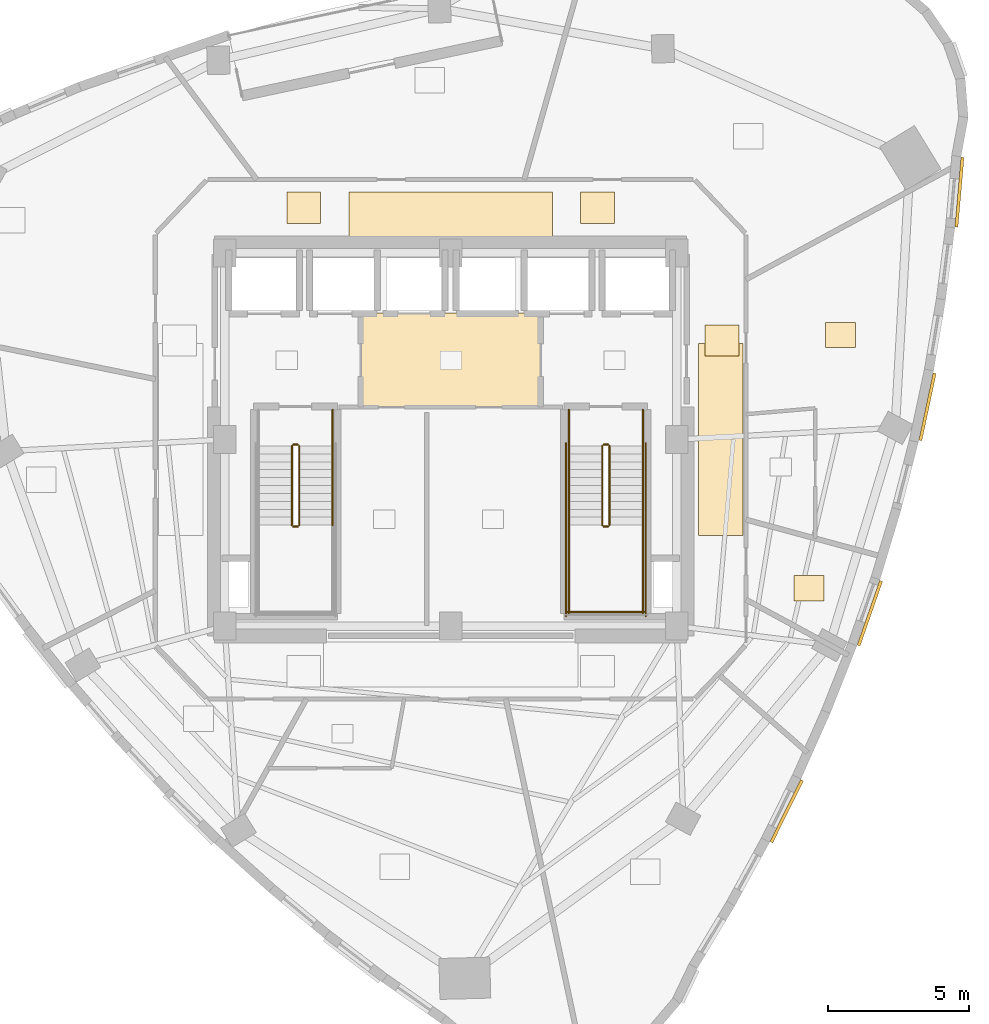
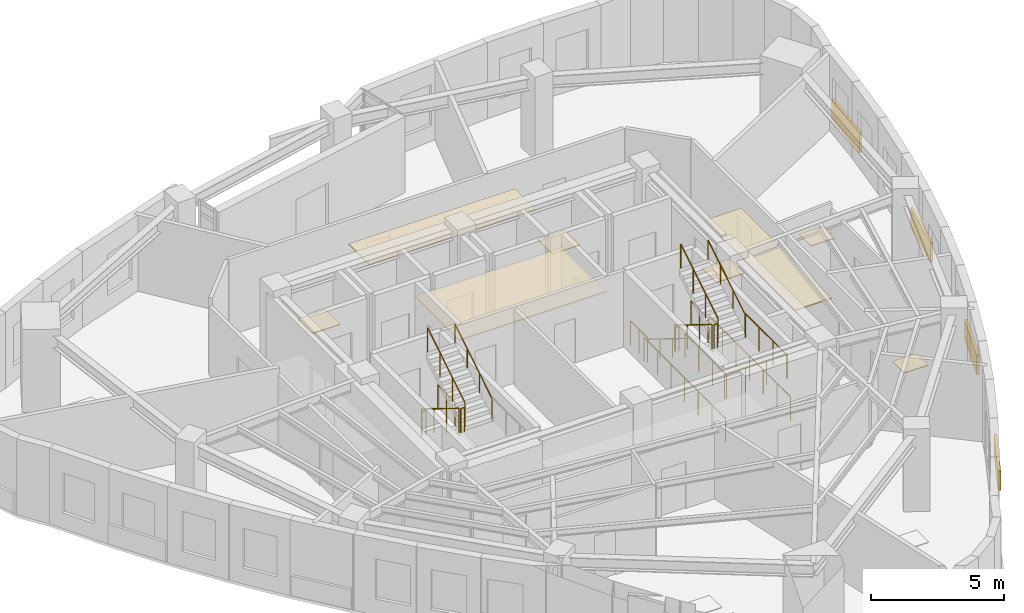
# One storey, part 9 of 10: 19 railings, 12 coverings.
"""IFC4 building model written with IfcOpenShell, lengths in metres."""

from ifc_helpers import new_model, si_unit, direction, frame, origin, origin_2d, place, context, subcontext, project, spatial, rectangle, circle, extrude, material, layer, layer_set, type_object, element, save


model = new_model("IFC4")

# Units and contexts
model_context = context("Model", 3, precision=1e-05, world=origin(), true_north=direction((0.0, 1.0)))
body_context = subcontext(model_context, "Body", "Model", "MODEL_VIEW")
ifc_project = project(units=[si_unit("LENGTHUNIT", "METRE"), si_unit("AREAUNIT", "SQUARE_METRE"), si_unit("VOLUMEUNIT", "CUBIC_METRE"), si_unit("PLANEANGLEUNIT", "RADIAN"), si_unit("MASSUNIT", "GRAM", prefix="KILO")], contexts=[model_context])

# Site, building, storey
site_placement = place(None, origin())
site = spatial("IfcSite", under=ifc_project, at=site_placement, CompositionType="ELEMENT")
building_placement = place(site_placement, origin())
building = spatial("IfcBuilding", under=site, at=building_placement, Name="Ndelora Gate Hotel", CompositionType="ELEMENT")
storey_placement = place(building_placement, frame((0.0, 0.0, 251.14990234375)))
storey = spatial("IfcBuildingStorey", under=building, at=storey_placement, Name="L63", CompositionType="ELEMENT", Elevation=251.14990234375)

# Coverings
ifc_material_1 = material(Name="Perforated Acoustic Gypsum Board", Category="gypsum")
ifc_layer_1 = layer(ifc_material_1, 0.054931640625)
ifc_layer_set_1 = layer_set([ifc_layer_1], Name="Perforated Acoustic Gypsum Board")
covering_type_1 = type_object("IfcCoveringType", Name="COV-CEIL-AC60", PredefinedType="CEILING", material=ifc_layer_set_1)
covering_1_placement = place(storey_placement, frame((0.0, 2.800048828125, 2.72265625), z_axis=(0.0, 0.0, 1.0), x_axis=(1.0, 0.0, 0.0)))
element("IfcCovering", 1, at=covering_1_placement, inside=storey, type_object=covering_type_1, Name="L63 Lift Lobby Acoustic Ceiling", PredefinedType="CEILING", context=body_context, shape_type="SweptSolid", body=[
    extrude(rectangle(XDim=6.39990234375, YDim=3.340087890625, at=origin_2d()), origin(), (0.0, 0.0, 1.0), 0.054931640625),
])
covering_2_placement = place(storey_placement, frame((0.0, 7.9599609375, 2.65283203125), z_axis=(0.0, 0.0, 1.0), x_axis=(1.0, 0.0, 0.0)))
element("IfcCovering", 2, at=covering_2_placement, inside=storey, type_object=covering_type_1, Name="L63 Guest Corridor Acoustic Ceiling N", PredefinedType="CEILING", context=body_context, shape_type="SweptSolid", body=[
    extrude(rectangle(XDim=7.199951171875, YDim=1.580078125, at=origin_2d()), origin(), (0.0, 0.0, 1.0), 0.054931640625),
])
covering_3_placement = place(storey_placement, frame((9.550048828125, 0.0, 2.65283203125), z_axis=(0.0, 0.0, 1.0), x_axis=(1.0, 0.0, 0.0)))
element("IfcCovering", 3, at=covering_3_placement, inside=storey, type_object=covering_type_1, Name="L63 Guest Corridor Acoustic Ceiling E", PredefinedType="CEILING", context=body_context, shape_type="SweptSolid", body=[
    extrude(rectangle(XDim=1.580078125, YDim=6.800048828125, at=origin_2d()), origin(), (0.0, 0.0, 1.0), 0.054931640625),
])
ifc_material_2 = material(Name="Terracotta Fired Clay Brick Slip Cladding", Category="masonry")
ifc_layer_2 = layer(ifc_material_2, 0.110107421875)
ifc_layer_set_2 = layer_set([ifc_layer_2], Name="Terracotta Fired Clay Brick Slip Cladding")
covering_type_2 = type_object("IfcCoveringType", Name="COV-CLAD-BRK", PredefinedType="CLADDING", material=ifc_layer_set_2)
covering_4_placement = place(storey_placement, frame((11.8876953125, -13.153564453125, 0.10009765625), z_axis=(0.0, 0.0, 1.0), x_axis=(0.444009746106, 0.896021955849, 0.0)))
element("IfcCovering", 4, at=covering_4_placement, inside=storey, type_object=covering_type_2, Name="L63 Rounded-Corner Brick Cladding Band 31", PredefinedType="CLADDING", context=body_context, shape_type="SweptSolid", body=[
    extrude(rectangle(XDim=2.44189453125, YDim=0.110107421875, at=origin_2d()), origin(), (0.0, 0.0, 1.0), 0.89990234375),
])
covering_5_placement = place(storey_placement, frame((14.832763671875, -6.146728515625, 0.10009765625), z_axis=(0.0, 0.0, 1.0), x_axis=(0.328866646739, 0.944376370237, 0.0)))
element("IfcCovering", 5, at=covering_5_placement, inside=storey, type_object=covering_type_2, Name="L63 Rounded-Corner Brick Cladding Band 34", PredefinedType="CLADDING", context=body_context, shape_type="SweptSolid", body=[
    extrude(rectangle(XDim=2.416015625, YDim=0.110107421875, at=origin_2d()), origin(), (0.0, 0.0, 1.0), 0.89990234375),
])
covering_6_placement = place(storey_placement, frame((16.87109375, 1.15478515625, 0.10009765625), z_axis=(0.0, 0.0, 1.0), x_axis=(0.208082406612, 0.9781112984, 0.0)))
element("IfcCovering", 6, at=covering_6_placement, inside=storey, type_object=covering_type_2, Name="L63 Rounded-Corner Brick Cladding Band 37", PredefinedType="CLADDING", context=body_context, shape_type="SweptSolid", body=[
    extrude(rectangle(XDim=2.428955078125, YDim=0.110107421875, at=origin_2d()), origin(), (0.0, 0.0, 1.0), 0.89990234375),
])
covering_7_placement = place(storey_placement, frame((18.002197265625, 8.75, 0.10009765625), z_axis=(0.0, 0.0, 1.0), x_axis=(0.087155742748, 0.996194698092, 0.0)))
element("IfcCovering", 7, at=covering_7_placement, inside=storey, type_object=covering_type_2, Name="L63 Rounded-Corner Brick Cladding Band 40", PredefinedType="CLADDING", context=body_context, shape_type="SweptSolid", body=[
    extrude(rectangle(XDim=2.48193359375, YDim=0.110107421875, at=origin_2d()), origin(), (0.0, 0.0, 1.0), 0.89990234375),
])
ifc_material_3 = material(Name="Engineered Highland Oak Parquet", Category="wood")
ifc_layer_3 = layer(ifc_material_3, 0.030029296875)
ifc_layer_set_3 = layer_set([ifc_layer_3], Name="Engineered Highland Oak Parquet")
covering_type_3 = type_object("IfcCoveringType", Name="COV-FLR-PARQ", PredefinedType="FLOORING", material=ifc_layer_set_3)
for number, where, z_axis, x_axis, name in (
    (8, (13.7919921875, 3.697265625, 0.0), (0.0, 0.0, 1.0), (1.0, 0.0, 0.0), "L63 Royal Highland Presidential Suite 6601 Oak Parquet Flooring"),
    (9, (12.67919921875, -5.2587890625, 0.0), (0.0, 0.0, 1.0), (1.0, 0.0, 0.0), "L63 Accessible WC Oak Parquet Flooring"),
):
    element("IfcCovering", number, at=place(storey_placement, frame(where, z_axis=z_axis, x_axis=x_axis)), inside=storey, type_object=covering_type_3, Name=name, PredefinedType="FLOORING", context=body_context, shape_type="SweptSolid", body=[
        extrude(rectangle(XDim=1.050048828125, YDim=0.89990234375, at=origin_2d()), origin(), (0.0, 0.0, 1.0), 0.030029296875),
    ])
ifc_material_4 = material(Name="Polished Highland Stone Terrazzo", Category="masonry")
ifc_layer_4 = layer(ifc_material_4, 0.034912109375)
ifc_layer_set_4 = layer_set([ifc_layer_4], Name="Polished Highland Stone Terrazzo")
covering_type_4 = type_object("IfcCoveringType", Name="COV-FLR-TERZ", PredefinedType="FLOORING", material=ifc_layer_set_4)
for number, where, z_axis, x_axis, name in (
    (10, (-5.199951171875, 8.199951171875, 0.0), (0.0, 0.0, 1.0), (1.0, 0.0, 0.0), "L63 Corridor Threshold Terrazzo Inlay NW"),
    (11, (5.199951171875, 8.199951171875, 0.0), (0.0, 0.0, 1.0), (1.0, 0.0, 0.0), "L63 Corridor Threshold Terrazzo Inlay NE"),
    (12, (9.60009765625, 3.5, 0.0), (0.0, 0.0, 1.0), (1.0, 0.0, 0.0), "L63 Corridor Threshold Terrazzo Inlay E"),
):
    element("IfcCovering", number, at=place(storey_placement, frame(where, z_axis=z_axis, x_axis=x_axis)), inside=storey, type_object=covering_type_4, Name=name, PredefinedType="FLOORING", context=body_context, shape_type="SweptSolid", body=[
        extrude(rectangle(XDim=1.199951171875, YDim=1.10009765625, at=origin_2d()), origin(), (0.0, 0.0, 1.0), 0.034912109375),
    ])

# Railings
ifc_material_5 = material(Name="Painted Galvanized Steel Balustrade", Category="steel")
ifc_layer_5 = layer(ifc_material_5, 0.06005859375)
ifc_layer_set_5 = layer_set([ifc_layer_5], Name="Painted Galvanized Steel Balustrade")
railing_type_1 = type_object("IfcRailingType", Name="RL-STAIR-GD", PredefinedType="GUARDRAIL", material=ifc_layer_set_5)
railing_1_placement = place(storey_placement, frame((-5.6201171875, -0.22998046875, 0.1728515625)))
element("IfcRailing", 13, at=railing_1_placement, inside=storey, type_object=railing_type_1, Name="L63 ST4 stair guard 1", PredefinedType="GUARDRAIL", context=body_context, shape_type="SweptSolid", body=[
    extrude(circle(Radius=0.02392578125, at=origin_2d()), frame((0.0, 0.0, 1.10595703125), z_axis=(0.0, -0.851089632645, 0.525020415988), x_axis=(1.0, 0.0, 0.0)), (0.0, 0.0, 1.0), 3.2900390625),
    extrude(circle(Radius=0.02099609375, at=origin_2d()), origin(), (0.0, 0.0, 1.0), 1.081787109375),
    extrude(circle(Radius=0.02099609375, at=origin_2d()), frame((0.0, -0.933349609375, 0.57568359375)), (0.0, 0.0, 1.0), 1.081787109375),
    extrude(circle(Radius=0.02099609375, at=origin_2d()), frame((0.0, -1.86669921875, 1.151611328125)), (0.0, 0.0, 1.0), 1.081787109375),
    extrude(circle(Radius=0.02099609375, at=origin_2d()), frame((0.0, -2.800048828125, 1.727294921875)), (0.0, 0.0, 1.0), 1.081787109375),
])
railing_2_placement = place(storey_placement, frame((-5.570068359375, -3.080078125, 1.900146484375)))
element("IfcRailing", 14, at=railing_2_placement, inside=storey, type_object=railing_type_1, Name="L63 ST4 stair guard 2", PredefinedType="GUARDRAIL", context=body_context, shape_type="SweptSolid", body=[
    extrude(circle(Radius=0.02392578125, at=origin_2d()), frame((0.0, 0.0, 1.10595703125), z_axis=(1.0, 0.0, 0.0), x_axis=(0.0, 1.0, 0.0)), (0.0, 0.0, 1.0), 0.16015625),
    extrude(circle(Radius=0.02099609375, at=origin_2d()), origin(), (0.0, 0.0, 1.0), 1.081787109375),
    extrude(circle(Radius=0.02099609375, at=origin_2d()), frame((0.16015625, 0.0, 0.0)), (0.0, 0.0, 1.0), 1.081787109375),
])
railing_3_placement = place(storey_placement, frame((-5.360107421875, -3.030029296875, 2.07275390625)))
element("IfcRailing", 15, at=railing_3_placement, inside=storey, type_object=railing_type_1, Name="L63 ST4 stair guard 6", PredefinedType="GUARDRAIL", context=body_context, shape_type="SweptSolid", body=[
    extrude(circle(Radius=0.02392578125, at=origin_2d()), frame((0.0, 0.0, 1.10595703125), z_axis=(0.0, 0.851089632645, 0.525020415988), x_axis=(-1.0, 0.0, 0.0)), (0.0, 0.0, 1.0), 3.2900390625),
    extrude(circle(Radius=0.02099609375, at=origin_2d()), origin(), (0.0, 0.0, 1.0), 1.081787109375),
    extrude(circle(Radius=0.02099609375, at=origin_2d()), frame((0.0, 0.933349609375, 0.57568359375)), (0.0, 0.0, 1.0), 1.081787109375),
    extrude(circle(Radius=0.02099609375, at=origin_2d()), frame((0.0, 1.86669921875, 1.151611328125)), (0.0, 0.0, 1.0), 1.081787109375),
    extrude(circle(Radius=0.02099609375, at=origin_2d()), frame((0.0, 2.800048828125, 1.727294921875)), (0.0, 0.0, 1.0), 1.081787109375),
])
railing_4_placement = place(storey_placement, frame((-5.570068359375, -0.179931640625, 0.0)))
element("IfcRailing", 16, at=railing_4_placement, inside=storey, type_object=railing_type_1, Name="L63 ST4 stair guard 7", PredefinedType="GUARDRAIL", context=body_context, shape_type="SweptSolid", body=[
    extrude(circle(Radius=0.02392578125, at=origin_2d()), frame((0.0, 0.0, 1.10595703125), z_axis=(1.0, 0.0, 0.0), x_axis=(0.0, 1.0, 0.0)), (0.0, 0.0, 1.0), 0.16015625),
    extrude(circle(Radius=0.02099609375, at=origin_2d()), origin(), (0.0, 0.0, 1.0), 1.081787109375),
    extrude(circle(Radius=0.02099609375, at=origin_2d()), frame((0.16015625, 0.0, 0.0)), (0.0, 0.0, 1.0), 1.081787109375),
])
railing_5_placement = place(storey_placement, frame((-4.179931640625, 1.050048828125, 0.0)))
element("IfcRailing", 17, at=railing_5_placement, inside=storey, type_object=railing_type_1, Name="L63 ST4 stair guard 9", PredefinedType="GUARDRAIL", context=body_context, shape_type="SweptSolid", body=[
    extrude(circle(Radius=0.02392578125, at=origin_2d()), frame((0.0, 0.0, 1.10595703125), z_axis=(0.0, -1.0, 0.0), x_axis=(1.0, 0.0, 0.0)), (0.0, 0.0, 1.0), 1.280029296875),
    extrude(circle(Radius=0.02099609375, at=origin_2d()), origin(), (0.0, 0.0, 1.0), 1.081787109375),
    extrude(circle(Radius=0.02099609375, at=origin_2d()), frame((0.0, -0.64013671875, 0.0)), (0.0, 0.0, 1.0), 1.081787109375),
    extrude(circle(Radius=0.02099609375, at=origin_2d()), frame((0.0, -1.280029296875, 0.0)), (0.0, 0.0, 1.0), 1.081787109375),
])
railing_6_placement = place(storey_placement, frame((5.360107421875, -0.22998046875, 0.1728515625)))
element("IfcRailing", 18, at=railing_6_placement, inside=storey, type_object=railing_type_1, Name="L63 ST5 stair guard 1", PredefinedType="GUARDRAIL", context=body_context, shape_type="SweptSolid", body=[
    extrude(circle(Radius=0.02392578125, at=origin_2d()), frame((0.0, 0.0, 1.10595703125), z_axis=(0.0, -0.851089632645, 0.525020415988), x_axis=(1.0, 0.0, 0.0)), (0.0, 0.0, 1.0), 3.2900390625),
    extrude(circle(Radius=0.02099609375, at=origin_2d()), origin(), (0.0, 0.0, 1.0), 1.081787109375),
    extrude(circle(Radius=0.02099609375, at=origin_2d()), frame((0.0, -0.933349609375, 0.57568359375)), (0.0, 0.0, 1.0), 1.081787109375),
    extrude(circle(Radius=0.02099609375, at=origin_2d()), frame((0.0, -1.86669921875, 1.151611328125)), (0.0, 0.0, 1.0), 1.081787109375),
    extrude(circle(Radius=0.02099609375, at=origin_2d()), frame((0.0, -2.800048828125, 1.727294921875)), (0.0, 0.0, 1.0), 1.081787109375),
])
railing_7_placement = place(storey_placement, frame((5.409912109375, -3.080078125, 1.900146484375)))
element("IfcRailing", 19, at=railing_7_placement, inside=storey, type_object=railing_type_1, Name="L63 ST5 stair guard 2", PredefinedType="GUARDRAIL", context=body_context, shape_type="SweptSolid", body=[
    extrude(circle(Radius=0.02392578125, at=origin_2d()), frame((0.0, 0.0, 1.10595703125), z_axis=(1.0, 0.0, 0.0), x_axis=(0.0, 1.0, 0.0)), (0.0, 0.0, 1.0), 0.16015625),
    extrude(circle(Radius=0.02099609375, at=origin_2d()), origin(), (0.0, 0.0, 1.0), 1.081787109375),
    extrude(circle(Radius=0.02099609375, at=origin_2d()), frame((0.16015625, 0.0, 0.0)), (0.0, 0.0, 1.0), 1.081787109375),
])
for number, where, name in (
    (20, (4.179931640625, -3.030029296875, 1.900146484375), "L63 ST5 stair guard 3"),
    (21, (6.800048828125, -3.030029296875, 1.900146484375), "L63 ST5 stair guard 4"),
):
    element("IfcRailing", number, at=place(storey_placement, frame(where)), inside=storey, type_object=railing_type_1, Name=name, PredefinedType="GUARDRAIL", context=body_context, shape_type="SweptSolid", body=[
        extrude(circle(Radius=0.02392578125, at=origin_2d()), frame((0.0, 0.0, 1.10595703125), z_axis=(0.0, -1.0, 0.0), x_axis=(1.0, 0.0, 0.0)), (0.0, 0.0, 1.0), 3.119873046875),
        extrude(circle(Radius=0.02099609375, at=origin_2d()), origin(), (0.0, 0.0, 1.0), 1.081787109375),
        extrude(circle(Radius=0.02099609375, at=origin_2d()), frame((0.0, -1.0400390625, 0.0)), (0.0, 0.0, 1.0), 1.081787109375),
        extrude(circle(Radius=0.02099609375, at=origin_2d()), frame((0.0, -2.079833984375, 0.0)), (0.0, 0.0, 1.0), 1.081787109375),
        extrude(circle(Radius=0.02099609375, at=origin_2d()), frame((0.0, -3.119873046875, 0.0)), (0.0, 0.0, 1.0), 1.081787109375),
    ])
railing_8_placement = place(storey_placement, frame((4.1298828125, -6.10009765625, 1.900146484375)))
element("IfcRailing", 22, at=railing_8_placement, inside=storey, type_object=railing_type_1, Name="L63 ST5 stair guard 5", PredefinedType="GUARDRAIL", context=body_context, shape_type="SweptSolid", body=[
    extrude(circle(Radius=0.02392578125, at=origin_2d()), frame((0.0, 0.0, 1.10595703125), z_axis=(1.0, 0.0, 0.0), x_axis=(0.0, 1.0, 0.0)), (0.0, 0.0, 1.0), 2.72021484375),
    extrude(circle(Radius=0.02099609375, at=origin_2d()), origin(), (0.0, 0.0, 1.0), 1.081787109375),
    extrude(circle(Radius=0.02099609375, at=origin_2d()), frame((0.90673828125, 0.0, 0.0)), (0.0, 0.0, 1.0), 1.081787109375),
    extrude(circle(Radius=0.02099609375, at=origin_2d()), frame((1.8134765625, 0.0, 0.0)), (0.0, 0.0, 1.0), 1.081787109375),
    extrude(circle(Radius=0.02099609375, at=origin_2d()), frame((2.72021484375, 0.0, 0.0)), (0.0, 0.0, 1.0), 1.081787109375),
])
railing_9_placement = place(storey_placement, frame((5.6201171875, -3.030029296875, 2.07275390625)))
element("IfcRailing", 23, at=railing_9_placement, inside=storey, type_object=railing_type_1, Name="L63 ST5 stair guard 6", PredefinedType="GUARDRAIL", context=body_context, shape_type="SweptSolid", body=[
    extrude(circle(Radius=0.02392578125, at=origin_2d()), frame((0.0, 0.0, 1.10595703125), z_axis=(0.0, 0.851089632645, 0.525020415988), x_axis=(-1.0, 0.0, 0.0)), (0.0, 0.0, 1.0), 3.2900390625),
    extrude(circle(Radius=0.02099609375, at=origin_2d()), origin(), (0.0, 0.0, 1.0), 1.081787109375),
    extrude(circle(Radius=0.02099609375, at=origin_2d()), frame((0.0, 0.933349609375, 0.57568359375)), (0.0, 0.0, 1.0), 1.081787109375),
    extrude(circle(Radius=0.02099609375, at=origin_2d()), frame((0.0, 1.86669921875, 1.151611328125)), (0.0, 0.0, 1.0), 1.081787109375),
    extrude(circle(Radius=0.02099609375, at=origin_2d()), frame((0.0, 2.800048828125, 1.727294921875)), (0.0, 0.0, 1.0), 1.081787109375),
])
railing_10_placement = place(storey_placement, frame((5.409912109375, -0.179931640625, 0.0)))
element("IfcRailing", 24, at=railing_10_placement, inside=storey, type_object=railing_type_1, Name="L63 ST5 stair guard 7", PredefinedType="GUARDRAIL", context=body_context, shape_type="SweptSolid", body=[
    extrude(circle(Radius=0.02392578125, at=origin_2d()), frame((0.0, 0.0, 1.10595703125), z_axis=(1.0, 0.0, 0.0), x_axis=(0.0, 1.0, 0.0)), (0.0, 0.0, 1.0), 0.16015625),
    extrude(circle(Radius=0.02099609375, at=origin_2d()), origin(), (0.0, 0.0, 1.0), 1.081787109375),
    extrude(circle(Radius=0.02099609375, at=origin_2d()), frame((0.16015625, 0.0, 0.0)), (0.0, 0.0, 1.0), 1.081787109375),
])
for number, where, name in (
    (25, (4.179931640625, 1.050048828125, 0.0), "L63 ST5 stair guard 8"),
    (26, (6.800048828125, 1.050048828125, 0.0), "L63 ST5 stair guard 9"),
):
    element("IfcRailing", number, at=place(storey_placement, frame(where)), inside=storey, type_object=railing_type_1, Name=name, PredefinedType="GUARDRAIL", context=body_context, shape_type="SweptSolid", body=[
        extrude(circle(Radius=0.02392578125, at=origin_2d()), frame((0.0, 0.0, 1.10595703125), z_axis=(0.0, -1.0, 0.0), x_axis=(1.0, 0.0, 0.0)), (0.0, 0.0, 1.0), 1.280029296875),
        extrude(circle(Radius=0.02099609375, at=origin_2d()), origin(), (0.0, 0.0, 1.0), 1.081787109375),
        extrude(circle(Radius=0.02099609375, at=origin_2d()), frame((0.0, -0.64013671875, 0.0)), (0.0, 0.0, 1.0), 1.081787109375),
        extrude(circle(Radius=0.02099609375, at=origin_2d()), frame((0.0, -1.280029296875, 0.0)), (0.0, 0.0, 1.0), 1.081787109375),
    ])
for number, where, name in (
    (27, (4.080078125, -0.1298828125, 0.0), "L63 ST5 stair guard 10"),
    (28, (6.89990234375, -0.1298828125, 0.0), "L63 ST5 stair guard 11"),
):
    element("IfcRailing", number, at=place(storey_placement, frame(where)), inside=storey, type_object=railing_type_1, Name=name, PredefinedType="GUARDRAIL", context=body_context, shape_type="SweptSolid", body=[
        extrude(circle(Radius=0.02392578125, at=origin_2d()), frame((0.0, 0.0, 1.10595703125), z_axis=(0.0, -1.0, 0.0), x_axis=(1.0, 0.0, 0.0)), (0.0, 0.0, 1.0), 6.1201171875),
        extrude(circle(Radius=0.02099609375, at=origin_2d()), origin(), (0.0, 0.0, 1.0), 1.081787109375),
        extrude(circle(Radius=0.02099609375, at=origin_2d()), frame((0.0, -1.02001953125, 0.0)), (0.0, 0.0, 1.0), 1.081787109375),
        extrude(circle(Radius=0.02099609375, at=origin_2d()), frame((0.0, -2.0400390625, 0.0)), (0.0, 0.0, 1.0), 1.081787109375),
        extrude(circle(Radius=0.02099609375, at=origin_2d()), frame((0.0, -3.06005859375, 0.0)), (0.0, 0.0, 1.0), 1.081787109375),
        extrude(circle(Radius=0.02099609375, at=origin_2d()), frame((0.0, -4.080078125, 0.0)), (0.0, 0.0, 1.0), 1.081787109375),
        extrude(circle(Radius=0.02099609375, at=origin_2d()), frame((0.0, -5.10009765625, 0.0)), (0.0, 0.0, 1.0), 1.081787109375),
        extrude(circle(Radius=0.02099609375, at=origin_2d()), frame((0.0, -6.1201171875, 0.0)), (0.0, 0.0, 1.0), 1.081787109375),
    ])
ifc_material_6 = material(Name="Brushed Stainless Steel 316", Category="steel")
ifc_layer_6 = layer(ifc_material_6, 0.050048828125)
ifc_layer_set_6 = layer_set([ifc_layer_6], Name="Brushed Stainless Steel 316")
railing_type_2 = type_object("IfcRailingType", Name="RL-STAIR-HR", PredefinedType="HANDRAIL", material=ifc_layer_set_6)
railing_11_placement = place(storey_placement, frame((-4.179931640625, -3.030029296875, 2.07275390625)))
element("IfcRailing", 29, at=railing_11_placement, inside=storey, type_object=railing_type_2, Name="L63 ST4 stair handrail 2", PredefinedType="HANDRAIL", context=body_context, shape_type="SweptSolid", body=[
    extrude(circle(Radius=0.02392578125, at=origin_2d()), frame((0.0, 0.0, 0.8759765625), z_axis=(0.0, 0.851089632645, 0.525020415988), x_axis=(-1.0, 0.0, 0.0)), (0.0, 0.0, 1.0), 3.2900390625),
    extrude(circle(Radius=0.02099609375, at=origin_2d()), origin(), (0.0, 0.0, 1.0), 0.851806640625),
    extrude(circle(Radius=0.02099609375, at=origin_2d()), frame((0.0, 0.933349609375, 0.57568359375)), (0.0, 0.0, 1.0), 0.851806640625),
    extrude(circle(Radius=0.02099609375, at=origin_2d()), frame((0.0, 1.86669921875, 1.151611328125)), (0.0, 0.0, 1.0), 0.851806640625),
    extrude(circle(Radius=0.02099609375, at=origin_2d()), frame((0.0, 2.800048828125, 1.727294921875)), (0.0, 0.0, 1.0), 0.851806640625),
])
railing_12_placement = place(storey_placement, frame((4.179931640625, -0.22998046875, 0.1728515625)))
element("IfcRailing", 30, at=railing_12_placement, inside=storey, type_object=railing_type_2, Name="L63 ST5 stair handrail 1", PredefinedType="HANDRAIL", context=body_context, shape_type="SweptSolid", body=[
    extrude(circle(Radius=0.02392578125, at=origin_2d()), frame((0.0, 0.0, 0.8759765625), z_axis=(0.0, -0.851089632645, 0.525020415988), x_axis=(1.0, 0.0, 0.0)), (0.0, 0.0, 1.0), 3.2900390625),
    extrude(circle(Radius=0.02099609375, at=origin_2d()), origin(), (0.0, 0.0, 1.0), 0.851806640625),
    extrude(circle(Radius=0.02099609375, at=origin_2d()), frame((0.0, -0.933349609375, 0.57568359375)), (0.0, 0.0, 1.0), 0.851806640625),
    extrude(circle(Radius=0.02099609375, at=origin_2d()), frame((0.0, -1.86669921875, 1.151611328125)), (0.0, 0.0, 1.0), 0.851806640625),
    extrude(circle(Radius=0.02099609375, at=origin_2d()), frame((0.0, -2.800048828125, 1.727294921875)), (0.0, 0.0, 1.0), 0.851806640625),
])
railing_13_placement = place(storey_placement, frame((6.800048828125, -3.030029296875, 2.07275390625)))
element("IfcRailing", 31, at=railing_13_placement, inside=storey, type_object=railing_type_2, Name="L63 ST5 stair handrail 2", PredefinedType="HANDRAIL", context=body_context, shape_type="SweptSolid", body=[
    extrude(circle(Radius=0.02392578125, at=origin_2d()), frame((0.0, 0.0, 0.8759765625), z_axis=(0.0, 0.851089632645, 0.525020415988), x_axis=(-1.0, 0.0, 0.0)), (0.0, 0.0, 1.0), 3.2900390625),
    extrude(circle(Radius=0.02099609375, at=origin_2d()), origin(), (0.0, 0.0, 1.0), 0.851806640625),
    extrude(circle(Radius=0.02099609375, at=origin_2d()), frame((0.0, 0.933349609375, 0.57568359375)), (0.0, 0.0, 1.0), 0.851806640625),
    extrude(circle(Radius=0.02099609375, at=origin_2d()), frame((0.0, 1.86669921875, 1.151611328125)), (0.0, 0.0, 1.0), 0.851806640625),
    extrude(circle(Radius=0.02099609375, at=origin_2d()), frame((0.0, 2.800048828125, 1.727294921875)), (0.0, 0.0, 1.0), 0.851806640625),
])

save(model, "model.ifc")
